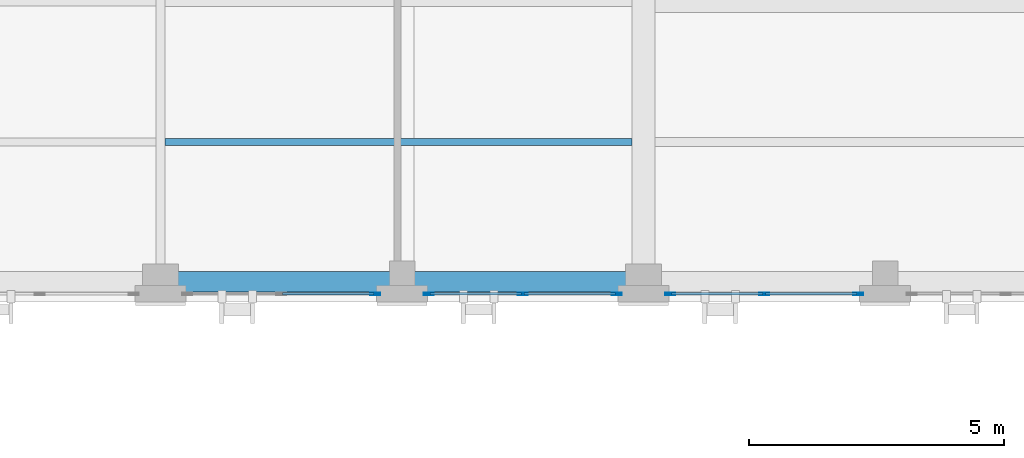
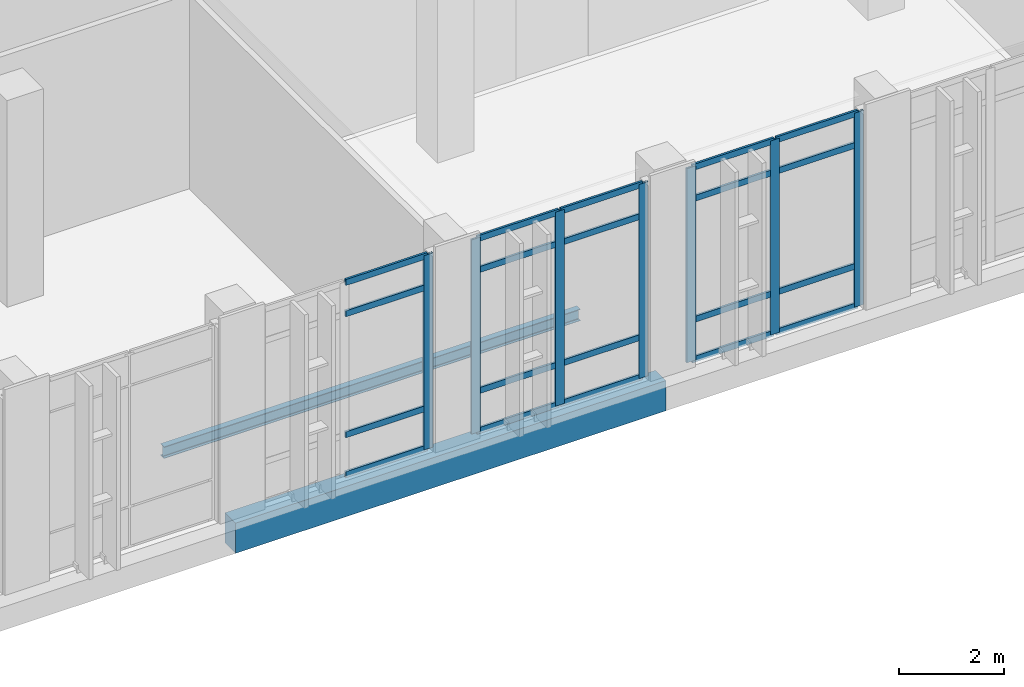
# One storey, part 31 of 189: 27 members, 2 beams, 3 elements without a shape of their own.
"""IFC4 building model written with IfcOpenShell, lengths in metres."""

from ifc_helpers import new_model, si_unit, direction, frame, origin, origin_2d, place, context, subcontext, project, spatial, rectangle, hollow_rectangle, i_section, extrude, material, layer, layer_set, material_profile, profile_set, type_object, element, aggregate, save


model = new_model("IFC4")

# Units and contexts
model_context = context("Model", 3, precision=1e-05, world=origin(), true_north=direction((0.0, 1.0)))
body_context = subcontext(model_context, "Body", "Model", "MODEL_VIEW")
ifc_project = project(units=[si_unit("LENGTHUNIT", "METRE"), si_unit("AREAUNIT", "SQUARE_METRE"), si_unit("VOLUMEUNIT", "CUBIC_METRE"), si_unit("PLANEANGLEUNIT", "RADIAN"), si_unit("MASSUNIT", "GRAM", prefix="KILO")], contexts=[model_context])

# Site, building, storey
site_placement = place(None, origin())
site = spatial("IfcSite", under=ifc_project, at=site_placement, CompositionType="ELEMENT")
building_placement = place(site_placement, origin())
building = spatial("IfcBuilding", under=site, at=building_placement, Name="Qalavern Law Courts", CompositionType="ELEMENT")
storey_placement = place(building_placement, frame((0.0, 0.0, 5.39990234375)))
storey = spatial("IfcBuildingStorey", under=building, at=storey_placement, Name="L01", CompositionType="ELEMENT", Elevation=5.39990234375)

# Curtain wall, member
ifc_material_1 = material(Name="Anodised aluminium and insulated glazing", Category="aluminium")
ifc_layer = layer(ifc_material_1, 0.18505859375)
ifc_layer_set = layer_set([ifc_layer], Name="Anodised aluminium and insulated glazing")
curtain_wall_type = type_object("IfcCurtainWallType", Name="ENV-CW-HALL", PredefinedType="USERDEFINED", material=ifc_layer_set)
curtain_wall_1_placement = place(storey_placement, origin())
curtain_wall_1 = element("IfcCurtainWall", 1, at=curtain_wall_1_placement, inside=storey, type_object=curtain_wall_type, Name="V2 unitised curtain wall L01 south 4", ObjectType="UNITISED CURTAIN WALL", PredefinedType="USERDEFINED")
ifc_material_2 = material(Name="Anodised aluminium", Category="aluminium")
ifc_material_profile_1 = material_profile(ifc_material_2, hollow_rectangle(XDim=0.048095703125, YDim=0.199951171875, WallThickness=0.00439453125, at=origin_2d()), Name="ALU MULLION 48x200")
ifc_profile_set_1 = profile_set([ifc_material_profile_1], Name="Anodised aluminium")
member_type_1 = type_object("IfcMemberType", Name="ENV-CWM-48x200", PredefinedType="MULLION", material=ifc_profile_set_1)
member_1_placement = place(storey_placement, frame((67.18603515625, 5.362548828125, 0.0), z_axis=(0.0, 0.0, 1.0), x_axis=(0.0, 1.0, 0.0)))
member_1 = element("IfcMember", 2, at=member_1_placement, type_object=member_type_1, Name="CW-02 mullion 3", PredefinedType="MULLION", context=body_context, shape_type="SweptSolid", body=[
    extrude(hollow_rectangle(XDim=0.048095703125, YDim=0.199951171875, WallThickness=0.00439453125, at=origin_2d()), origin(), (0.0, 0.0, 1.0), 4.510009765625),
])

# Curtain wall, members
curtain_wall_2_placement = place(storey_placement, origin())
curtain_wall_2 = element("IfcCurtainWall", 3, at=curtain_wall_2_placement, inside=storey, type_object=curtain_wall_type, Name="V2 unitised curtain wall L01 south 5", ObjectType="UNITISED CURTAIN WALL", PredefinedType="USERDEFINED")
member_2_placement = place(storey_placement, frame((68.23388671875, 5.362548828125, 0.0), z_axis=(0.0, 0.0, 1.0), x_axis=(0.0, 1.0, 0.0)))
member_2 = element("IfcMember", 4, at=member_2_placement, type_object=member_type_1, Name="CW-02 mullion 1", PredefinedType="MULLION", context=body_context, shape_type="SweptSolid", body=[
    extrude(hollow_rectangle(XDim=0.048095703125, YDim=0.199951171875, WallThickness=0.00439453125, at=origin_2d()), origin(), (0.0, 0.0, 1.0), 4.510009765625),
])
member_3_placement = place(storey_placement, frame((70.073486328125, 5.362548828125, 0.0), z_axis=(0.0, 0.0, 1.0), x_axis=(0.0, 1.0, 0.0)))
member_3 = element("IfcMember", 5, at=member_3_placement, type_object=member_type_1, Name="CW-02 mullion 2", PredefinedType="MULLION", context=body_context, shape_type="SweptSolid", body=[
    extrude(hollow_rectangle(XDim=0.048095703125, YDim=0.199951171875, WallThickness=0.00439453125, at=origin_2d()), origin(), (0.0, 0.0, 1.0), 4.510009765625),
])
member_4_placement = place(storey_placement, frame((71.9130859375, 5.362548828125, 0.0), z_axis=(0.0, 0.0, 1.0), x_axis=(0.0, 1.0, 0.0)))
member_4 = element("IfcMember", 6, at=member_4_placement, type_object=member_type_1, Name="CW-02 mullion 3", PredefinedType="MULLION", context=body_context, shape_type="SweptSolid", body=[
    extrude(hollow_rectangle(XDim=0.048095703125, YDim=0.199951171875, WallThickness=0.00439453125, at=origin_2d()), origin(), (0.0, 0.0, 1.0), 4.510009765625),
])

curtain_wall_3_placement = place(storey_placement, origin())
curtain_wall_3 = element("IfcCurtainWall", 7, at=curtain_wall_3_placement, inside=storey, type_object=curtain_wall_type, Name="V2 unitised curtain wall L01 south 6", ObjectType="UNITISED CURTAIN WALL", PredefinedType="USERDEFINED")
member_5_placement = place(storey_placement, frame((72.961181640625, 5.362548828125, 0.0), z_axis=(0.0, 0.0, 1.0), x_axis=(0.0, 1.0, 0.0)))
member_5 = element("IfcMember", 8, at=member_5_placement, type_object=member_type_1, Name="CW-02 mullion 1", PredefinedType="MULLION", context=body_context, shape_type="SweptSolid", body=[
    extrude(hollow_rectangle(XDim=0.048095703125, YDim=0.199951171875, WallThickness=0.00439453125, at=origin_2d()), origin(), (0.0, 0.0, 1.0), 4.510009765625),
])
member_6_placement = place(storey_placement, frame((74.800537109375, 5.362548828125, 0.0), z_axis=(0.0, 0.0, 1.0), x_axis=(0.0, 1.0, 0.0)))
member_6 = element("IfcMember", 9, at=member_6_placement, type_object=member_type_1, Name="CW-02 mullion 2", PredefinedType="MULLION", context=body_context, shape_type="SweptSolid", body=[
    extrude(hollow_rectangle(XDim=0.048095703125, YDim=0.199951171875, WallThickness=0.00439453125, at=origin_2d()), origin(), (0.0, 0.0, 1.0), 4.510009765625),
])
member_7_placement = place(storey_placement, frame((76.639892578125, 5.362548828125, 0.0), z_axis=(0.0, 0.0, 1.0), x_axis=(0.0, 1.0, 0.0)))
member_7 = element("IfcMember", 10, at=member_7_placement, type_object=member_type_1, Name="CW-02 mullion 3", PredefinedType="MULLION", context=body_context, shape_type="SweptSolid", body=[
    extrude(hollow_rectangle(XDim=0.048095703125, YDim=0.199951171875, WallThickness=0.00439453125, at=origin_2d()), origin(), (0.0, 0.0, 1.0), 4.510009765625),
])

# Member
ifc_material_profile_2 = material_profile(ifc_material_2, hollow_rectangle(XDim=0.048095703125, YDim=0.139892578125, WallThickness=0.00390625, at=origin_2d()), Name="ALU TRANSOM 48x140")
ifc_profile_set_2 = profile_set([ifc_material_profile_2], Name="Anodised aluminium")
member_type_2 = type_object("IfcMemberType", Name="ENV-CWT-48x140", PredefinedType="USERDEFINED", material=ifc_profile_set_2)
member_8_placement = place(storey_placement, frame((65.370361328125, 5.362548828125, 0.024169921875), z_axis=(1.0, 0.0, 0.0), x_axis=(0.0, 1.0, 0.0)))
member_8 = element("IfcMember", 11, at=member_8_placement, type_object=member_type_2, Name="CW-02 transom 2.1", ObjectType="TRANSOM", PredefinedType="USERDEFINED", context=body_context, shape_type="SweptSolid", body=[
    extrude(hollow_rectangle(XDim=0.048095703125, YDim=0.139892578125, WallThickness=0.00390625, at=origin_2d()), origin(), (0.0, 0.0, 1.0), 1.791748046875),
])

member_9_placement = place(storey_placement, frame((65.370361328125, 5.362548828125, 0.9501953125), z_axis=(1.0, 0.0, 0.0), x_axis=(0.0, 1.0, 0.0)))
member_9 = element("IfcMember", 12, at=member_9_placement, type_object=member_type_2, Name="CW-02 transom 2.2", ObjectType="TRANSOM", PredefinedType="USERDEFINED", context=body_context, shape_type="SweptSolid", body=[
    extrude(hollow_rectangle(XDim=0.048095703125, YDim=0.139892578125, WallThickness=0.00390625, at=origin_2d()), origin(), (0.0, 0.0, 1.0), 1.791748046875),
])

member_10_placement = place(storey_placement, frame((65.370361328125, 5.362548828125, 3.760009765625), z_axis=(1.0, 0.0, 0.0), x_axis=(0.0, 1.0, 0.0)))
member_10 = element("IfcMember", 13, at=member_10_placement, type_object=member_type_2, Name="CW-02 transom 2.3", ObjectType="TRANSOM", PredefinedType="USERDEFINED", context=body_context, shape_type="SweptSolid", body=[
    extrude(hollow_rectangle(XDim=0.048095703125, YDim=0.139892578125, WallThickness=0.00390625, at=origin_2d()), origin(), (0.0, 0.0, 1.0), 1.791748046875),
])

member_11_placement = place(storey_placement, frame((65.370361328125, 5.362548828125, 4.486083984375), z_axis=(1.0, 0.0, 0.0), x_axis=(0.0, 1.0, 0.0)))
member_11 = element("IfcMember", 14, at=member_11_placement, type_object=member_type_2, Name="CW-02 transom 2.4", ObjectType="TRANSOM", PredefinedType="USERDEFINED", context=body_context, shape_type="SweptSolid", body=[
    extrude(hollow_rectangle(XDim=0.048095703125, YDim=0.139892578125, WallThickness=0.00390625, at=origin_2d()), origin(), (0.0, 0.0, 1.0), 1.791748046875),
])

aggregate(curtain_wall_1, [member_1, member_8, member_9, member_10, member_11])

member_12_placement = place(storey_placement, frame((68.258056640625, 5.362548828125, 0.024169921875), z_axis=(1.0, 0.0, 0.0), x_axis=(0.0, 1.0, 0.0)))
member_12 = element("IfcMember", 15, at=member_12_placement, type_object=member_type_2, Name="CW-02 transom 1.1", ObjectType="TRANSOM", PredefinedType="USERDEFINED", context=body_context, shape_type="SweptSolid", body=[
    extrude(hollow_rectangle(XDim=0.048095703125, YDim=0.139892578125, WallThickness=0.00390625, at=origin_2d()), origin(), (0.0, 0.0, 1.0), 1.79150390625),
])

member_13_placement = place(storey_placement, frame((68.258056640625, 5.362548828125, 0.9501953125), z_axis=(1.0, 0.0, 0.0), x_axis=(0.0, 1.0, 0.0)))
member_13 = element("IfcMember", 16, at=member_13_placement, type_object=member_type_2, Name="CW-02 transom 1.2", ObjectType="TRANSOM", PredefinedType="USERDEFINED", context=body_context, shape_type="SweptSolid", body=[
    extrude(hollow_rectangle(XDim=0.048095703125, YDim=0.139892578125, WallThickness=0.00390625, at=origin_2d()), origin(), (0.0, 0.0, 1.0), 1.79150390625),
])

member_14_placement = place(storey_placement, frame((68.258056640625, 5.362548828125, 3.760009765625), z_axis=(1.0, 0.0, 0.0), x_axis=(0.0, 1.0, 0.0)))
member_14 = element("IfcMember", 17, at=member_14_placement, type_object=member_type_2, Name="CW-02 transom 1.3", ObjectType="TRANSOM", PredefinedType="USERDEFINED", context=body_context, shape_type="SweptSolid", body=[
    extrude(hollow_rectangle(XDim=0.048095703125, YDim=0.139892578125, WallThickness=0.00390625, at=origin_2d()), origin(), (0.0, 0.0, 1.0), 1.79150390625),
])

member_15_placement = place(storey_placement, frame((68.258056640625, 5.362548828125, 4.486083984375), z_axis=(1.0, 0.0, 0.0), x_axis=(0.0, 1.0, 0.0)))
member_15 = element("IfcMember", 18, at=member_15_placement, type_object=member_type_2, Name="CW-02 transom 1.4", ObjectType="TRANSOM", PredefinedType="USERDEFINED", context=body_context, shape_type="SweptSolid", body=[
    extrude(hollow_rectangle(XDim=0.048095703125, YDim=0.139892578125, WallThickness=0.00390625, at=origin_2d()), origin(), (0.0, 0.0, 1.0), 1.79150390625),
])

member_16_placement = place(storey_placement, frame((70.09765625, 5.362548828125, 0.024169921875), z_axis=(1.0, 0.0, 0.0), x_axis=(0.0, 1.0, 0.0)))
member_16 = element("IfcMember", 19, at=member_16_placement, type_object=member_type_2, Name="CW-02 transom 2.1", ObjectType="TRANSOM", PredefinedType="USERDEFINED", context=body_context, shape_type="SweptSolid", body=[
    extrude(hollow_rectangle(XDim=0.048095703125, YDim=0.139892578125, WallThickness=0.00390625, at=origin_2d()), origin(), (0.0, 0.0, 1.0), 1.79150390625),
])

member_17_placement = place(storey_placement, frame((70.09765625, 5.362548828125, 0.9501953125), z_axis=(1.0, 0.0, 0.0), x_axis=(0.0, 1.0, 0.0)))
member_17 = element("IfcMember", 20, at=member_17_placement, type_object=member_type_2, Name="CW-02 transom 2.2", ObjectType="TRANSOM", PredefinedType="USERDEFINED", context=body_context, shape_type="SweptSolid", body=[
    extrude(hollow_rectangle(XDim=0.048095703125, YDim=0.139892578125, WallThickness=0.00390625, at=origin_2d()), origin(), (0.0, 0.0, 1.0), 1.79150390625),
])

member_18_placement = place(storey_placement, frame((70.09765625, 5.362548828125, 3.760009765625), z_axis=(1.0, 0.0, 0.0), x_axis=(0.0, 1.0, 0.0)))
member_18 = element("IfcMember", 21, at=member_18_placement, type_object=member_type_2, Name="CW-02 transom 2.3", ObjectType="TRANSOM", PredefinedType="USERDEFINED", context=body_context, shape_type="SweptSolid", body=[
    extrude(hollow_rectangle(XDim=0.048095703125, YDim=0.139892578125, WallThickness=0.00390625, at=origin_2d()), origin(), (0.0, 0.0, 1.0), 1.79150390625),
])

member_19_placement = place(storey_placement, frame((70.09765625, 5.362548828125, 4.486083984375), z_axis=(1.0, 0.0, 0.0), x_axis=(0.0, 1.0, 0.0)))
member_19 = element("IfcMember", 22, at=member_19_placement, type_object=member_type_2, Name="CW-02 transom 2.4", ObjectType="TRANSOM", PredefinedType="USERDEFINED", context=body_context, shape_type="SweptSolid", body=[
    extrude(hollow_rectangle(XDim=0.048095703125, YDim=0.139892578125, WallThickness=0.00390625, at=origin_2d()), origin(), (0.0, 0.0, 1.0), 1.79150390625),
])

aggregate(curtain_wall_2, [member_2, member_3, member_4, member_12, member_13, member_14, member_15, member_16, member_17, member_18, member_19])

member_20_placement = place(storey_placement, frame((72.985107421875, 5.362548828125, 0.024169921875), z_axis=(1.0, 0.0, 0.0), x_axis=(0.0, 1.0, 0.0)))
member_20 = element("IfcMember", 23, at=member_20_placement, type_object=member_type_2, Name="CW-02 transom 1.1", ObjectType="TRANSOM", PredefinedType="USERDEFINED", context=body_context, shape_type="SweptSolid", body=[
    extrude(hollow_rectangle(XDim=0.048095703125, YDim=0.139892578125, WallThickness=0.00390625, at=origin_2d()), origin(), (0.0, 0.0, 1.0), 1.79150390625),
])

member_21_placement = place(storey_placement, frame((72.985107421875, 5.362548828125, 0.9501953125), z_axis=(1.0, 0.0, 0.0), x_axis=(0.0, 1.0, 0.0)))
member_21 = element("IfcMember", 24, at=member_21_placement, type_object=member_type_2, Name="CW-02 transom 1.2", ObjectType="TRANSOM", PredefinedType="USERDEFINED", context=body_context, shape_type="SweptSolid", body=[
    extrude(hollow_rectangle(XDim=0.048095703125, YDim=0.139892578125, WallThickness=0.00390625, at=origin_2d()), origin(), (0.0, 0.0, 1.0), 1.79150390625),
])

member_22_placement = place(storey_placement, frame((72.985107421875, 5.362548828125, 3.760009765625), z_axis=(1.0, 0.0, 0.0), x_axis=(0.0, 1.0, 0.0)))
member_22 = element("IfcMember", 25, at=member_22_placement, type_object=member_type_2, Name="CW-02 transom 1.3", ObjectType="TRANSOM", PredefinedType="USERDEFINED", context=body_context, shape_type="SweptSolid", body=[
    extrude(hollow_rectangle(XDim=0.048095703125, YDim=0.139892578125, WallThickness=0.00390625, at=origin_2d()), origin(), (0.0, 0.0, 1.0), 1.79150390625),
])

member_23_placement = place(storey_placement, frame((72.985107421875, 5.362548828125, 4.486083984375), z_axis=(1.0, 0.0, 0.0), x_axis=(0.0, 1.0, 0.0)))
member_23 = element("IfcMember", 26, at=member_23_placement, type_object=member_type_2, Name="CW-02 transom 1.4", ObjectType="TRANSOM", PredefinedType="USERDEFINED", context=body_context, shape_type="SweptSolid", body=[
    extrude(hollow_rectangle(XDim=0.048095703125, YDim=0.139892578125, WallThickness=0.00390625, at=origin_2d()), origin(), (0.0, 0.0, 1.0), 1.79150390625),
])

member_24_placement = place(storey_placement, frame((74.824462890625, 5.362548828125, 0.024169921875), z_axis=(1.0, 0.0, 0.0), x_axis=(0.0, 1.0, 0.0)))
member_24 = element("IfcMember", 27, at=member_24_placement, type_object=member_type_2, Name="CW-02 transom 2.1", ObjectType="TRANSOM", PredefinedType="USERDEFINED", context=body_context, shape_type="SweptSolid", body=[
    extrude(hollow_rectangle(XDim=0.048095703125, YDim=0.139892578125, WallThickness=0.00390625, at=origin_2d()), origin(), (0.0, 0.0, 1.0), 1.79150390625),
])

member_25_placement = place(storey_placement, frame((74.824462890625, 5.362548828125, 0.9501953125), z_axis=(1.0, 0.0, 0.0), x_axis=(0.0, 1.0, 0.0)))
member_25 = element("IfcMember", 28, at=member_25_placement, type_object=member_type_2, Name="CW-02 transom 2.2", ObjectType="TRANSOM", PredefinedType="USERDEFINED", context=body_context, shape_type="SweptSolid", body=[
    extrude(hollow_rectangle(XDim=0.048095703125, YDim=0.139892578125, WallThickness=0.00390625, at=origin_2d()), origin(), (0.0, 0.0, 1.0), 1.79150390625),
])

member_26_placement = place(storey_placement, frame((74.824462890625, 5.362548828125, 3.760009765625), z_axis=(1.0, 0.0, 0.0), x_axis=(0.0, 1.0, 0.0)))
member_26 = element("IfcMember", 29, at=member_26_placement, type_object=member_type_2, Name="CW-02 transom 2.3", ObjectType="TRANSOM", PredefinedType="USERDEFINED", context=body_context, shape_type="SweptSolid", body=[
    extrude(hollow_rectangle(XDim=0.048095703125, YDim=0.139892578125, WallThickness=0.00390625, at=origin_2d()), origin(), (0.0, 0.0, 1.0), 1.79150390625),
])

member_27_placement = place(storey_placement, frame((74.824462890625, 5.362548828125, 4.486083984375), z_axis=(1.0, 0.0, 0.0), x_axis=(0.0, 1.0, 0.0)))
member_27 = element("IfcMember", 30, at=member_27_placement, type_object=member_type_2, Name="CW-02 transom 2.4", ObjectType="TRANSOM", PredefinedType="USERDEFINED", context=body_context, shape_type="SweptSolid", body=[
    extrude(hollow_rectangle(XDim=0.048095703125, YDim=0.139892578125, WallThickness=0.00390625, at=origin_2d()), origin(), (0.0, 0.0, 1.0), 1.79150390625),
])

aggregate(curtain_wall_3, [member_5, member_6, member_7, member_20, member_21, member_22, member_23, member_24, member_25, member_26, member_27])

# Beams
ifc_material_3 = material(Name="Steel S355", Category="steel")
ifc_material_profile_3 = material_profile(ifc_material_3, i_section(OverallWidth=0.135009765625, OverallDepth=0.27001953125, WebThickness=0.006591796875, FlangeThickness=0.01025390625, FilletRadius=0.014892578125, at=origin_2d()), Name="IPE 270")
ifc_profile_set_3 = profile_set([ifc_material_profile_3], Name="Steel S355")
beam_type_1 = type_object("IfcBeamType", Name="STR-JST-IPE270", PredefinedType="JOIST", material=ifc_profile_set_3)
beam_1_placement = place(storey_placement, frame((63.07080078125, 8.333251953125, -0.434814453125), z_axis=(1.0, 0.0, 0.0), x_axis=(0.0, 1.0, 0.0)))
element("IfcBeam", 31, at=beam_1_placement, inside=storey, type_object=beam_type_1, Name="V2 secondary joist 4.1.1 L01", PredefinedType="JOIST", context=body_context, shape_type="SweptSolid", body=[
    extrude(i_section(OverallWidth=0.135009765625, OverallDepth=0.27001953125, WebThickness=0.006591796875, FlangeThickness=0.01025390625, FilletRadius=0.014892578125, at=origin_2d()), origin(), (0.0, 0.0, 1.0), 9.143310546875),
])
ifc_material_4 = material(Name="Concrete C40/50", Category="concrete")
ifc_material_profile_4 = material_profile(ifc_material_4, rectangle(XDim=0.39990234375, YDim=0.699951171875, at=origin_2d()), Name="RC 400x700")
ifc_profile_set_4 = profile_set([ifc_material_profile_4], Name="Concrete C40/50")
beam_type_2 = type_object("IfcBeamType", Name="STR-SP-RC400x700", PredefinedType="SPANDREL", material=ifc_profile_set_4)
beam_2_placement = place(storey_placement, frame((62.98291015625, 5.60009765625, -0.64990234375), z_axis=(1.0, 0.0, 0.0), x_axis=(0.0, 1.0, 0.0)))
element("IfcBeam", 32, at=beam_2_placement, inside=storey, type_object=beam_type_2, Name="V2 X-beam 1-4 L01", PredefinedType="SPANDREL", context=body_context, shape_type="SweptSolid", body=[
    extrude(rectangle(XDim=0.39990234375, YDim=0.699951171875, at=origin_2d()), origin(), (0.0, 0.0, 1.0), 9.4541015625),
])

save(model, "model.ifc")
